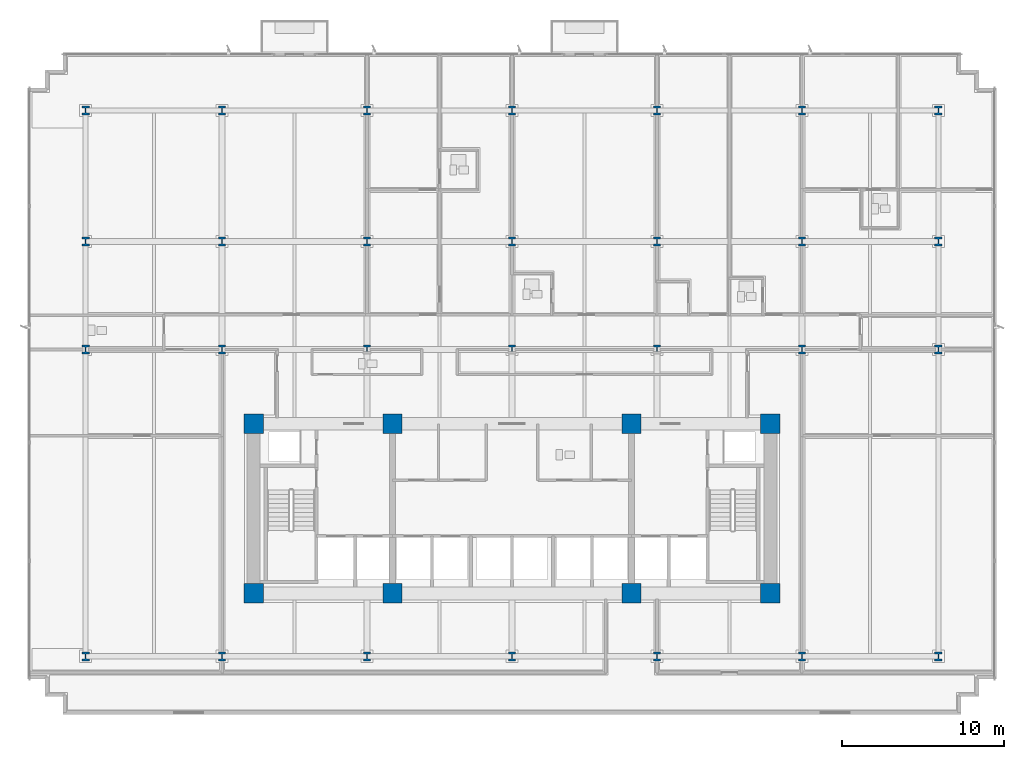
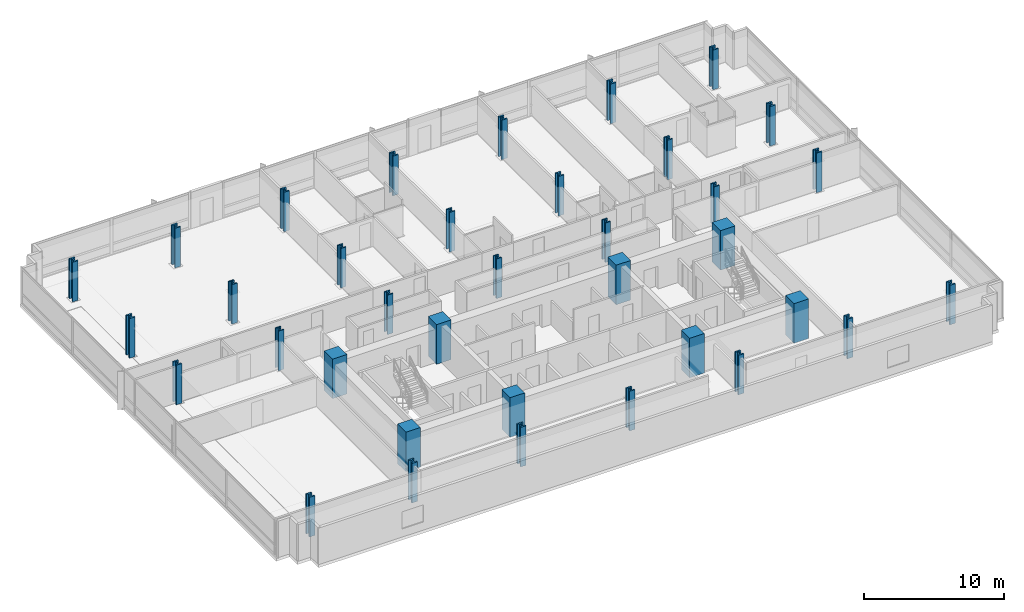
# One storey, part 1 of 17: 36 columns.
"""IFC4 building model written with IfcOpenShell, lengths in metres."""

from ifc_helpers import new_model, si_unit, direction, frame, origin, origin_2d, place, context, subcontext, project, spatial, rectangle, i_section, extrude, material, material_profile, profile_set, type_object, element, save


model = new_model("IFC4")

# Units and contexts
model_context = context("Model", 3, precision=1e-05, world=origin(), true_north=direction((0.0, 1.0)))
body_context = subcontext(model_context, "Body", "Model", "MODEL_VIEW")
ifc_project = project(units=[si_unit("LENGTHUNIT", "METRE"), si_unit("AREAUNIT", "SQUARE_METRE"), si_unit("VOLUMEUNIT", "CUBIC_METRE"), si_unit("PLANEANGLEUNIT", "RADIAN"), si_unit("MASSUNIT", "GRAM", prefix="KILO")], contexts=[model_context])

# Site, building, storey
site_placement = place(None, origin())
site = spatial("IfcSite", under=ifc_project, at=site_placement, CompositionType="ELEMENT")
building_placement = place(site_placement, origin())
building = spatial("IfcBuilding", under=site, at=building_placement, Name="Solmavex Isthmus Hotel", CompositionType="ELEMENT")
storey_placement = place(building_placement, frame((0.0, 0.0, 40.199951171875)))
storey = spatial("IfcBuildingStorey", under=building, at=storey_placement, Name="L10", CompositionType="ELEMENT", Elevation=40.199951171875)

# Columns
ifc_material_1 = material(Name="Concrete C70/85", Category="concrete")
ifc_material_profile_1 = material_profile(ifc_material_1, rectangle(XDim=1.199951171875, YDim=1.199951171875, at=origin_2d()), Name="RC1200X1200")
ifc_profile_set_1 = profile_set([ifc_material_profile_1], Name="Concrete C70/85")
column_type_1 = type_object("IfcColumnType", Name="COL-CC-1200", PredefinedType="COLUMN", material=ifc_profile_set_1)
for number, where, z_axis, x_axis, name in (
    (1, (-16.0, -13.0, 0.0), (0.0, 0.0, 1.0), (1.0, 0.0, 0.0), "Core Pilaster CC-SW L10"),
    (2, (-7.39990234375, -13.0, 0.0), (0.0, 0.0, 1.0), (1.0, 0.0, 0.0), "Core Pilaster CC-S1 L10"),
    (3, (7.39990234375, -13.0, 0.0), (0.0, 0.0, 1.0), (1.0, 0.0, 0.0), "Core Pilaster CC-S2 L10"),
    (4, (16.0, -13.0, 0.0), (0.0, 0.0, 1.0), (1.0, 0.0, 0.0), "Core Pilaster CC-SE L10"),
    (5, (-16.0, -2.5, 0.0), (0.0, 0.0, 1.0), (1.0, 0.0, 0.0), "Core Pilaster CC-NW L10"),
    (6, (-7.39990234375, -2.5, 0.0), (0.0, 0.0, 1.0), (1.0, 0.0, 0.0), "Core Pilaster CC-N1 L10"),
    (7, (7.39990234375, -2.5, 0.0), (0.0, 0.0, 1.0), (1.0, 0.0, 0.0), "Core Pilaster CC-N2 L10"),
    (8, (16.0, -2.5, 0.0), (0.0, 0.0, 1.0), (1.0, 0.0, 0.0), "Core Pilaster CC-NE L10"),
):
    element("IfcColumn", number, at=place(storey_placement, frame(where, z_axis=z_axis, x_axis=x_axis)), inside=storey, type_object=column_type_1, Name=name, PredefinedType="COLUMN", context=body_context, shape_type="SweptSolid", body=[
        extrude(rectangle(XDim=1.199951171875, YDim=1.199951171875, at=origin_2d()), origin(), (0.0, 0.0, 1.0), 3.449951171875),
    ])
ifc_material_2 = material(Name="Steel ASTM A913 Grade 65", Category="steel")
ifc_material_profile_2 = material_profile(ifc_material_2, i_section(OverallWidth=0.442138671875, OverallDepth=0.531494140625, WebThickness=0.06591796875, FlangeThickness=0.105712890625, FilletRadius=0.030517578125, at=origin_2d()), Name="W14X605")
ifc_profile_set_2 = profile_set([ifc_material_profile_2], Name="Steel ASTM A913 Grade 65")
column_type_2 = type_object("IfcColumnType", Name="COL-SC-W14X605", PredefinedType="COLUMN", material=ifc_profile_set_2)
for number, where, z_axis, x_axis, name in (
    (9, (-17.951904296875, 2.10009765625, 0.0), (0.0, 0.0, 1.0), (1.0, 0.0, 0.0), "Tower Column B1-U2V2 L10"),
    (10, (-17.951904296875, 8.7880859375, 0.0), (0.0, 0.0, 1.0), (1.0, 0.0, 0.0), "Tower Column B1-U2V3 L10"),
    (11, (-8.97607421875, 2.10009765625, 0.0), (0.0, 0.0, 1.0), (1.0, 0.0, 0.0), "Tower Column B1-U3V2 L10"),
    (12, (-8.97607421875, 8.7880859375, 0.0), (0.0, 0.0, 1.0), (1.0, 0.0, 0.0), "Tower Column B1-U3V3 L10"),
    (13, (0.0, 2.10009765625, 0.0), (0.0, 0.0, 1.0), (1.0, 0.0, 0.0), "Tower Column B1-U4V2 L10"),
    (14, (0.0, 8.7880859375, 0.0), (0.0, 0.0, 1.0), (1.0, 0.0, 0.0), "Tower Column B1-U4V3 L10"),
    (15, (8.97607421875, 2.10009765625, 0.0), (0.0, 0.0, 1.0), (1.0, 0.0, 0.0), "Tower Column B1-U5V2 L10"),
    (16, (8.97607421875, 8.7880859375, 0.0), (0.0, 0.0, 1.0), (1.0, 0.0, 0.0), "Tower Column B1-U5V3 L10"),
    (17, (17.951904296875, 2.10009765625, 0.0), (0.0, 0.0, 1.0), (1.0, 0.0, 0.0), "Tower Column B1-U6V2 L10"),
    (18, (17.951904296875, 8.7880859375, 0.0), (0.0, 0.0, 1.0), (1.0, 0.0, 0.0), "Tower Column B1-U6V3 L10"),
):
    element("IfcColumn", number, at=place(storey_placement, frame(where, z_axis=z_axis, x_axis=x_axis)), inside=storey, type_object=column_type_2, Name=name, PredefinedType="COLUMN", context=body_context, shape_type="SweptSolid", body=[
        extrude(i_section(OverallWidth=0.442138671875, OverallDepth=0.531494140625, WebThickness=0.06591796875, FlangeThickness=0.105712890625, FilletRadius=0.030517578125, at=origin_2d()), origin(), (0.0, 0.0, 1.0), 3.449951171875),
    ])
ifc_material_profile_3 = material_profile(ifc_material_2, i_section(OverallWidth=0.454345703125, OverallDepth=0.569091796875, WebThickness=0.077880859375, FlangeThickness=0.124755859375, FilletRadius=0.030517578125, at=origin_2d()), Name="W14X730")
ifc_profile_set_3 = profile_set([ifc_material_profile_3], Name="Steel ASTM A913 Grade 65")
column_type_3 = type_object("IfcColumnType", Name="COL-SC-W14X730", PredefinedType="COLUMN", material=ifc_profile_set_3)
for number, where, z_axis, x_axis, name in (
    (19, (-26.39990234375, -16.89990234375, 0.0), (0.0, 0.0, 1.0), (1.0, 0.0, 0.0), "Tower Column B1-U1V1 L10"),
    (20, (-26.39990234375, 2.10009765625, 0.0), (0.0, 0.0, 1.0), (1.0, 0.0, 0.0), "Tower Column B1-U1V2 L10"),
    (21, (-26.39990234375, 8.7880859375, 0.0), (0.0, 0.0, 1.0), (1.0, 0.0, 0.0), "Tower Column B1-U1V3 L10"),
    (22, (-26.39990234375, 16.89990234375, 0.0), (0.0, 0.0, 1.0), (1.0, 0.0, 0.0), "Tower Column B1-U1V4 L10"),
    (23, (-17.951904296875, -16.89990234375, 0.0), (0.0, 0.0, 1.0), (1.0, 0.0, 0.0), "Tower Column B1-U2V1 L10"),
    (24, (-17.951904296875, 16.89990234375, 0.0), (0.0, 0.0, 1.0), (1.0, 0.0, 0.0), "Tower Column B1-U2V4 L10"),
    (25, (-8.97607421875, -16.89990234375, 0.0), (0.0, 0.0, 1.0), (1.0, 0.0, 0.0), "Tower Column B1-U3V1 L10"),
    (26, (-8.97607421875, 16.89990234375, 0.0), (0.0, 0.0, 1.0), (1.0, 0.0, 0.0), "Tower Column B1-U3V4 L10"),
    (27, (0.0, -16.89990234375, 0.0), (0.0, 0.0, 1.0), (1.0, 0.0, 0.0), "Tower Column B1-U4V1 L10"),
    (28, (0.0, 16.89990234375, 0.0), (0.0, 0.0, 1.0), (1.0, 0.0, 0.0), "Tower Column B1-U4V4 L10"),
    (29, (8.97607421875, -16.89990234375, 0.0), (0.0, 0.0, 1.0), (1.0, 0.0, 0.0), "Tower Column B1-U5V1 L10"),
    (30, (8.97607421875, 16.89990234375, 0.0), (0.0, 0.0, 1.0), (1.0, 0.0, 0.0), "Tower Column B1-U5V4 L10"),
    (31, (17.951904296875, -16.89990234375, 0.0), (0.0, 0.0, 1.0), (1.0, 0.0, 0.0), "Tower Column B1-U6V1 L10"),
    (32, (17.951904296875, 16.89990234375, 0.0), (0.0, 0.0, 1.0), (1.0, 0.0, 0.0), "Tower Column B1-U6V4 L10"),
    (33, (26.39990234375, -16.89990234375, 0.0), (0.0, 0.0, 1.0), (1.0, 0.0, 0.0), "Tower Column B1-U7V1 L10"),
    (34, (26.39990234375, 2.10009765625, 0.0), (0.0, 0.0, 1.0), (1.0, 0.0, 0.0), "Tower Column B1-U7V2 L10"),
    (35, (26.39990234375, 8.7880859375, 0.0), (0.0, 0.0, 1.0), (1.0, 0.0, 0.0), "Tower Column B1-U7V3 L10"),
    (36, (26.39990234375, 16.89990234375, 0.0), (0.0, 0.0, 1.0), (1.0, 0.0, 0.0), "Tower Column B1-U7V4 L10"),
):
    element("IfcColumn", number, at=place(storey_placement, frame(where, z_axis=z_axis, x_axis=x_axis)), inside=storey, type_object=column_type_3, Name=name, PredefinedType="COLUMN", context=body_context, shape_type="SweptSolid", body=[
        extrude(i_section(OverallWidth=0.454345703125, OverallDepth=0.569091796875, WebThickness=0.077880859375, FlangeThickness=0.124755859375, FilletRadius=0.030517578125, at=origin_2d()), origin(), (0.0, 0.0, 1.0), 3.449951171875),
    ])

save(model, "model.ifc")
